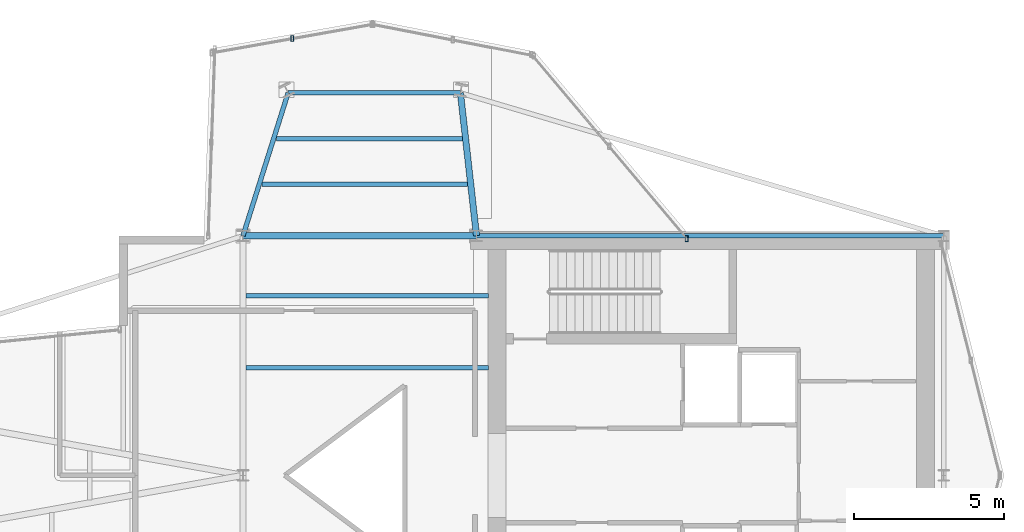
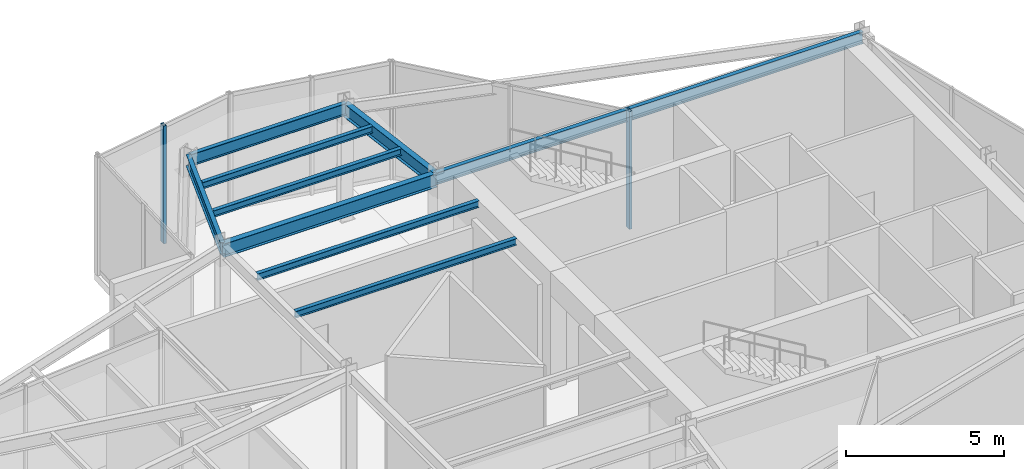
# One storey, part 6 of 15: 9 beams, 2 members, 2 elements without a shape of their own.
"""IFC4 building model written with IfcOpenShell, lengths in metres."""

from ifc_helpers import new_model, si_unit, direction, frame, origin, origin_2d, place, context, subcontext, project, spatial, hollow_rectangle, i_section, extrude, material, layer, layer_set, material_profile, profile_set, type_object, element, aggregate, save


model = new_model("IFC4")

# Units and contexts
model_context = context("Model", 3, precision=1e-05, world=origin(), true_north=direction((0.0, 1.0)))
body_context = subcontext(model_context, "Body", "Model", "MODEL_VIEW")
ifc_project = project(units=[si_unit("LENGTHUNIT", "METRE"), si_unit("AREAUNIT", "SQUARE_METRE"), si_unit("VOLUMEUNIT", "CUBIC_METRE"), si_unit("PLANEANGLEUNIT", "RADIAN"), si_unit("MASSUNIT", "GRAM", prefix="KILO")], contexts=[model_context])

# Site, building, storey
site_placement = place(None, origin())
site = spatial("IfcSite", under=ifc_project, at=site_placement, CompositionType="ELEMENT")
building_placement = place(site_placement, origin())
building = spatial("IfcBuilding", under=site, at=building_placement, Name="Veymaron Broadcast Tower", CompositionType="ELEMENT")
storey_placement = place(building_placement, frame((0.0, 0.0, 262.050048828125)))
storey = spatial("IfcBuildingStorey", under=building, at=storey_placement, Name="L61", CompositionType="ELEMENT", Elevation=262.050048828125)

# Beams
ifc_material_1 = material(Name="Structural steel ASTM A992 Gr 50", Category="steel")
ifc_material_profile_1 = material_profile(ifc_material_1, i_section(OverallWidth=0.208984375, OverallDepth=0.528076171875, WebThickness=0.009521484375, FlangeThickness=0.01318359375, at=origin_2d()), Name="W530X82")
ifc_profile_set_1 = profile_set([ifc_material_profile_1], Name="Structural steel ASTM A992 Gr 50")
beam_type_1 = type_object("IfcBeamType", Name="BM-FG4", PredefinedType="BEAM", material=ifc_profile_set_1)
beam_1_placement = place(storey_placement, frame((31.199951171875, 32.0, 4.2958984375), z_axis=(1.0, 0.0, 0.0), x_axis=(0.0, 1.0, 0.0)))
element("IfcBeam", 1, at=beam_1_placement, inside=storey, type_object=beam_type_1, Name="L61 primary structural floor girder", PredefinedType="BEAM", context=body_context, shape_type="SweptSolid", body=[
    extrude(i_section(OverallWidth=0.208984375, OverallDepth=0.528076171875, WebThickness=0.009521484375, FlangeThickness=0.01318359375, at=origin_2d()), origin(), (0.0, 0.0, 1.0), 7.800048828125),
])
beam_2_placement = place(storey_placement, frame((39.0, 32.0, 4.2958984375), z_axis=(-0.112049553621, 0.993702620271, 0.0), x_axis=(-0.993702620271, -0.112049553621, 0.0)))
element("IfcBeam", 2, at=beam_2_placement, inside=storey, type_object=beam_type_1, Name="L61 primary structural floor girder", PredefinedType="BEAM", context=body_context, shape_type="SweptSolid", body=[
    extrude(i_section(OverallWidth=0.208984375, OverallDepth=0.528076171875, WebThickness=0.009521484375, FlangeThickness=0.01318359375, at=origin_2d()), origin(), (0.0, 0.0, 1.0), 4.80224609375),
])
ifc_material_profile_2 = material_profile(ifc_material_1, i_section(OverallWidth=0.14599609375, OverallDepth=0.258056640625, WebThickness=0.006103515625, FlangeThickness=0.009033203125, at=origin_2d()), Name="W250X33")
ifc_profile_set_2 = profile_set([ifc_material_profile_2], Name="Structural steel ASTM A992 Gr 50")
beam_type_2 = type_object("IfcBeamType", Name="BM-JS4", PredefinedType="JOIST", material=ifc_profile_set_2)
beam_3_placement = place(storey_placement, frame((31.84228515625, 33.718017578125, 4.430908203125), z_axis=(1.0, 0.0, 0.0), x_axis=(0.0, 1.0, 0.0)))
element("IfcBeam", 3, at=beam_3_placement, inside=storey, type_object=beam_type_2, Name="L61 Arm-B secondary joist 1", PredefinedType="JOIST", context=body_context, shape_type="SweptSolid", body=[
    extrude(i_section(OverallWidth=0.14599609375, OverallDepth=0.258056640625, WebThickness=0.006103515625, FlangeThickness=0.009033203125, at=origin_2d()), origin(), (0.0, 0.0, 1.0), 6.864013671875),
])
beam_4_placement = place(storey_placement, frame((32.324462890625, 35.2451171875, 4.430908203125), z_axis=(1.0, 0.0, 0.0), x_axis=(0.0, 1.0, 0.0)))
element("IfcBeam", 4, at=beam_4_placement, inside=storey, type_object=beam_type_2, Name="L61 Arm-B secondary joist 2", PredefinedType="JOIST", context=body_context, shape_type="SweptSolid", body=[
    extrude(i_section(OverallWidth=0.14599609375, OverallDepth=0.258056640625, WebThickness=0.006103515625, FlangeThickness=0.009033203125, at=origin_2d()), origin(), (0.0, 0.0, 1.0), 6.209716796875),
])
for number, where, z_axis, x_axis, name in (
    (5, (31.300048828125, 27.60009765625, 4.430908203125), (1.0, 0.0, 0.0), (0.0, 1.0, 0.0), "L61 Hub secondary joist 3"),
    (6, (31.300048828125, 30.0, 4.430908203125), (1.0, 0.0, 0.0), (0.0, 1.0, 0.0), "L61 Hub secondary joist 4"),
):
    element("IfcBeam", number, at=place(storey_placement, frame(where, z_axis=z_axis, x_axis=x_axis)), inside=storey, type_object=beam_type_2, Name=name, PredefinedType="JOIST", context=body_context, shape_type="SweptSolid", body=[
        extrude(i_section(OverallWidth=0.14599609375, OverallDepth=0.258056640625, WebThickness=0.006103515625, FlangeThickness=0.009033203125, at=origin_2d()), origin(), (0.0, 0.0, 1.0), 8.099853515625),
    ])
ifc_material_profile_3 = material_profile(ifc_material_1, i_section(OverallWidth=0.154052734375, OverallDepth=0.458984375, WebThickness=0.009033203125, FlangeThickness=0.015380859375, at=origin_2d()), Name="W460X68")
ifc_profile_set_3 = profile_set([ifc_material_profile_3], Name="Structural steel ASTM A992 Gr 50")
beam_type_3 = type_object("IfcBeamType", Name="BM-SP2", PredefinedType="SPANDREL", material=ifc_profile_set_3)
beam_5_placement = place(storey_placement, frame((39.0, 32.0, 4.33056640625), z_axis=(1.0, 0.0, 0.0), x_axis=(0.0, 1.0, 0.0)))
element("IfcBeam", 7, at=beam_5_placement, inside=storey, type_object=beam_type_3, Name="L61 primary structural floor girder", PredefinedType="SPANDREL", context=body_context, shape_type="SweptSolid", body=[
    extrude(i_section(OverallWidth=0.154052734375, OverallDepth=0.458984375, WebThickness=0.009033203125, FlangeThickness=0.015380859375, at=origin_2d()), origin(), (0.0, 0.0, 1.0), 15.60009765625),
])
beam_6_placement = place(storey_placement, frame((31.199951171875, 32.0, 4.33056640625), z_axis=(0.301023957979, 0.953616577416, 0.0), x_axis=(-0.953616577416, 0.301023957979, 0.0)))
element("IfcBeam", 8, at=beam_6_placement, inside=storey, type_object=beam_type_3, Name="L61 primary structural floor girder", PredefinedType="SPANDREL", context=body_context, shape_type="SweptSolid", body=[
    extrude(i_section(OverallWidth=0.154052734375, OverallDepth=0.458984375, WebThickness=0.009033203125, FlangeThickness=0.015380859375, at=origin_2d()), origin(), (0.0, 0.0, 1.0), 5.004150390625),
])
beam_7_placement = place(storey_placement, frame((32.706298828125, 36.77197265625, 4.33056640625), z_axis=(1.0, 0.0, 0.0), x_axis=(0.0, 1.0, 0.0)))
element("IfcBeam", 9, at=beam_7_placement, inside=storey, type_object=beam_type_3, Name="L61 primary structural floor girder", PredefinedType="SPANDREL", context=body_context, shape_type="SweptSolid", body=[
    extrude(i_section(OverallWidth=0.154052734375, OverallDepth=0.458984375, WebThickness=0.009033203125, FlangeThickness=0.015380859375, at=origin_2d()), origin(), (0.0, 0.0, 1.0), 5.755615234375),
])

# Curtain wall, member
ifc_material_2 = material(Name="Anodised aluminium AA 6063-T6 and laminated low-E dark glass", Category="aluminium")
ifc_layer = layer(ifc_material_2, 0.179931640625)
ifc_layer_set = layer_set([ifc_layer], Name="Anodised aluminium AA 6063-T6 and laminated low-E dark glass")
curtain_wall_type = type_object("IfcCurtainWallType", Name="CW-SYS-04", PredefinedType="NOTDEFINED", material=ifc_layer_set)
curtain_wall_1_placement = place(storey_placement, origin())
curtain_wall_1 = element("IfcCurtainWall", 10, at=curtain_wall_1_placement, inside=storey, type_object=curtain_wall_type, Name="L61 dark-glass curtain wall CW-L61-E5-1", PredefinedType="NOTDEFINED")
ifc_material_3 = material(Name="Anodised aluminium AA 6063-T6", Category="aluminium")
ifc_material_profile_4 = material_profile(ifc_material_3, hollow_rectangle(XDim=0.10009765625, YDim=0.199951171875, WallThickness=0.010009765625, at=origin_2d()), Name="RHS200X100X10")
ifc_profile_set_4 = profile_set([ifc_material_profile_4], Name="Anodised aluminium AA 6063-T6")
member_type = type_object("IfcMemberType", Name="CW-MUL-01", PredefinedType="MULLION", material=ifc_profile_set_4)
member_1_placement = place(storey_placement, frame((46.018798828125, 31.909912109375, 0.0), z_axis=(0.0, 0.0, 1.0), x_axis=(1.0, 0.0, 0.0)))
member_1 = element("IfcMember", 11, at=member_1_placement, type_object=member_type, Name="CW-L61-E5-1 mullion 0", PredefinedType="MULLION", context=body_context, shape_type="SweptSolid", body=[
    extrude(hollow_rectangle(XDim=0.10009765625, YDim=0.199951171875, WallThickness=0.010009765625, at=origin_2d()), origin(), (0.0, 0.0, 1.0), 4.56005859375),
])
aggregate(curtain_wall_1, [member_1])

curtain_wall_2_placement = place(storey_placement, origin())
curtain_wall_2 = element("IfcCurtainWall", 12, at=curtain_wall_2_placement, inside=storey, type_object=curtain_wall_type, Name="L61 dark-glass curtain wall CW-L61-E7-1", PredefinedType="NOTDEFINED")
member_2_placement = place(storey_placement, frame((32.845458984375, 38.590087890625, 0.0), z_axis=(0.0, 0.0, 1.0), x_axis=(1.0, 0.0, 0.0)))
member_2 = element("IfcMember", 13, at=member_2_placement, type_object=member_type, Name="CW-L61-E7-1 mullion 1", PredefinedType="MULLION", context=body_context, shape_type="SweptSolid", body=[
    extrude(hollow_rectangle(XDim=0.10009765625, YDim=0.199951171875, WallThickness=0.010009765625, at=origin_2d()), origin(), (0.0, 0.0, 1.0), 4.56005859375),
])
aggregate(curtain_wall_2, [member_2])

save(model, "model.ifc")
